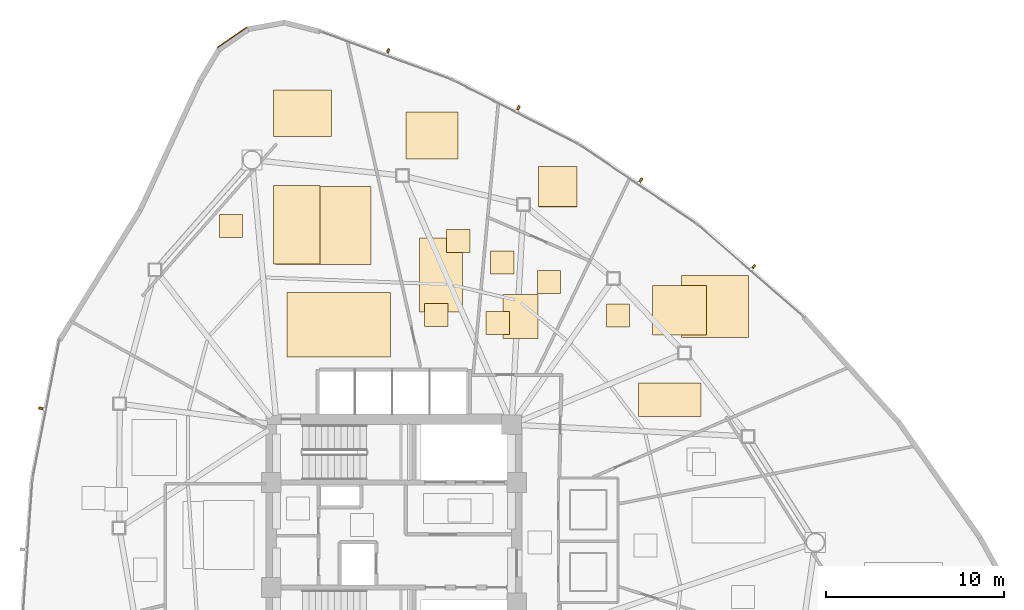
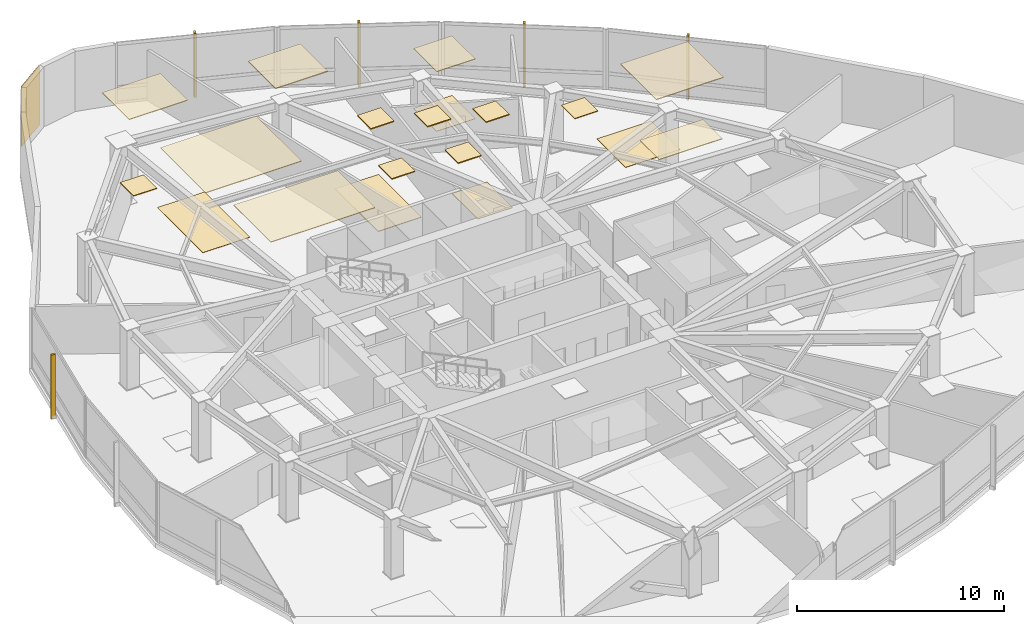
# One storey, part 17 of 17: 20 coverings, 5 shading devices.
"""IFC4 building model written with IfcOpenShell, lengths in metres."""

from ifc_helpers import new_model, si_unit, direction, frame, origin, origin_2d, place, context, subcontext, project, spatial, polyline, rectangle, outline, extrude, source, transform, mapped, material, layer, layer_set, type_object, type_shapes, element, save


model = new_model("IFC4")

# Units and contexts
model_context = context("Model", 3, precision=1e-05, world=origin(), true_north=direction((0.0, 1.0)))
body_context = subcontext(model_context, "Body", "Model", "MODEL_VIEW")
ifc_project = project(units=[si_unit("LENGTHUNIT", "METRE"), si_unit("AREAUNIT", "SQUARE_METRE"), si_unit("VOLUMEUNIT", "CUBIC_METRE"), si_unit("PLANEANGLEUNIT", "RADIAN"), si_unit("MASSUNIT", "GRAM", prefix="KILO")], contexts=[model_context])

# Site, building, storey
site_placement = place(None, origin())
site = spatial("IfcSite", under=ifc_project, at=site_placement, CompositionType="ELEMENT")
building_placement = place(site_placement, origin())
building = spatial("IfcBuilding", under=site, at=building_placement, Name="Tavelor Broadcast Tower", CompositionType="ELEMENT")
storey_placement = place(building_placement, frame((0.0, 0.0, 127.14990234375)))
storey = spatial("IfcBuildingStorey", under=building, at=storey_placement, Name="L29", CompositionType="ELEMENT", Elevation=127.14990234375)

# Coverings
ifc_material_1 = material(Name="Copper-Bronze Anodized Aluminium", Category="aluminium")
ifc_layer_1 = layer(ifc_material_1, 0.050048828125)
ifc_layer_set_1 = layer_set([ifc_layer_1], Name="Copper-Bronze Anodized Aluminium")
covering_type_1 = type_object("IfcCoveringType", Name="Champagne-Bronze Corner Pier Metal Cladding 50 mm", PredefinedType="CLADDING", material=ifc_layer_set_1)
covering_1_placement = place(storey_placement, frame((40.90234375, 72.974609375, 0.02001953125), z_axis=(0.0, 0.0, 1.0), x_axis=(-0.822640518021, -0.568561850734, 0.0)))
element("IfcCovering", 1, at=covering_1_placement, inside=storey, type_object=covering_type_1, Name="L29 Champagne-Bronze Corner Cladding 03", PredefinedType="CLADDING", context=body_context, shape_type="SweptSolid", body=[
    extrude(rectangle(XDim=1.998291015625, YDim=0.050048828125, at=origin_2d()), origin(), (0.0, 0.0, 1.0), 3.510009765625),
])
ifc_material_2 = material(Name="Acoustic Nylon Carpet Tile")
ifc_layer_2 = layer(ifc_material_2, 0.02001953125)
ifc_layer_set_2 = layer_set([ifc_layer_2], Name="Acoustic Nylon Carpet Tile")
covering_type_2 = type_object("IfcCoveringType", Name="Heavy-Duty Acoustic Broadcast Carpet Tile 20 mm", PredefinedType="FLOORING", material=ifc_layer_set_2)
covering_2_placement = place(storey_placement, origin())
element("IfcCovering", 2, at=covering_2_placement, inside=storey, type_object=covering_type_2, Name="L29 Broadcast Floor Finish 0411", PredefinedType="FLOORING", context=body_context, shape_type="SweptSolid", body=[
    extrude(outline(polyline([(43.20849609375, 60.245849609375), (45.841064453125, 60.245849609375), (45.841064453125, 64.64501953125), (43.20849609375, 64.64501953125), (43.20849609375, 60.245849609375)])), origin(), (0.0, 0.0, 1.0), 0.02001953125),
])
covering_3_placement = place(storey_placement, origin())
element("IfcCovering", 3, at=covering_3_placement, inside=storey, type_object=covering_type_2, Name="L29 Broadcast Floor Finish 0413", PredefinedType="FLOORING", context=body_context, shape_type="SweptSolid", body=[
    extrude(outline(polyline([(58.11962890625, 63.447998046875), (60.280517578125, 63.447998046875), (60.280517578125, 65.705810546875), (58.11962890625, 65.705810546875), (58.11962890625, 63.447998046875)])), origin(), (0.0, 0.0, 1.0), 0.02001953125),
])
covering_4_placement = place(storey_placement, origin())
element("IfcCovering", 4, at=covering_4_placement, inside=storey, type_object=covering_type_2, Name="L29 Broadcast Floor Finish 0414", PredefinedType="FLOORING", context=body_context, shape_type="SweptSolid", body=[
    extrude(outline(polyline([(64.516357421875, 56.245849609375), (67.556396484375, 56.245849609375), (67.556396484375, 59.02880859375), (64.516357421875, 59.02880859375), (64.516357421875, 56.245849609375)])), origin(), (0.0, 0.0, 1.0), 0.02001953125),
])
ifc_material_3 = material(Name="Acoustic Hardwood Studio Flooring", Category="wood")
ifc_layer_3 = layer(ifc_material_3, 0.034912109375)
ifc_layer_set_3 = layer_set([ifc_layer_3], Name="Acoustic Hardwood Studio Flooring")
covering_type_3 = type_object("IfcCoveringType", Name="Isolated Studio Acoustic Elastomeric Floor Finish 35 mm", PredefinedType="FLOORING", material=ifc_layer_set_3)
covering_5_placement = place(storey_placement, origin())
element("IfcCovering", 5, at=covering_5_placement, inside=storey, type_object=covering_type_3, Name="L29 Broadcast Floor Finish 0412", PredefinedType="FLOORING", context=body_context, shape_type="SweptSolid", body=[
    extrude(outline(polyline([(51.43359375, 57.54248046875), (53.85400390625, 57.54248046875), (53.85400390625, 61.69970703125), (51.43359375, 61.69970703125), (51.43359375, 57.54248046875)])), origin(), (0.0, 0.0, 1.0), 0.03515625),
])
covering_6_placement = place(storey_placement, origin())
element("IfcCovering", 6, at=covering_6_placement, inside=storey, type_object=covering_type_3, Name="L29 Broadcast Floor Finish 0417", PredefinedType="FLOORING", context=body_context, shape_type="SweptSolid", body=[
    extrude(outline(polyline([(56.132568359375, 56.04248046875), (58.0830078125, 56.04248046875), (58.0830078125, 58.52685546875), (56.132568359375, 58.52685546875), (56.132568359375, 56.04248046875)])), origin(), (0.0, 0.0, 1.0), 0.03515625),
])
ifc_material_4 = material(Name="Acoustic Perforated Timber Baffle", Category="wood")
ifc_layer_4 = layer(ifc_material_4, 0.054931640625)
ifc_layer_set_4 = layer_set([ifc_layer_4], Name="Acoustic Perforated Timber Baffle")
covering_type_4 = type_object("IfcCoveringType", Name="Micro-Perforated Acoustic Baffle Studio Ceiling 55 mm", PredefinedType="CEILING", material=ifc_layer_set_4)
covering_7_placement = place(storey_placement, frame((0.0, 0.0, 3.4951171875)))
element("IfcCovering", 7, at=covering_7_placement, inside=storey, type_object=covering_type_4, Name="L29 Suspended Acoustic Ceiling 1168", PredefinedType="CEILING", context=body_context, shape_type="SweptSolid", body=[
    extrude(outline(polyline([(50.66650390625, 66.12939453125), (53.590576171875, 66.12939453125), (53.590576171875, 68.7880859375), (50.66650390625, 68.7880859375), (50.66650390625, 66.12939453125)])), origin(), (0.0, 0.0, 1.0), 0.054931640625),
])
covering_8_placement = place(storey_placement, frame((0.0, 0.0, 3.4951171875)))
element("IfcCovering", 8, at=covering_8_placement, inside=storey, type_object=covering_type_4, Name="L29 Suspended Acoustic Ceiling 1169", PredefinedType="CEILING", context=body_context, shape_type="SweptSolid", body=[
    extrude(outline(polyline([(52.95458984375, 60.876708984375), (54.254638671875, 60.876708984375), (54.254638671875, 62.1767578125), (52.95458984375, 62.1767578125), (52.95458984375, 60.876708984375)])), origin(), (0.0, 0.0, 1.0), 0.054931640625),
])
covering_9_placement = place(storey_placement, frame((0.0, 0.0, 3.4951171875)))
element("IfcCovering", 9, at=covering_9_placement, inside=storey, type_object=covering_type_4, Name="L29 Suspended Acoustic Ceiling 1170", PredefinedType="CEILING", context=body_context, shape_type="SweptSolid", body=[
    extrude(outline(polyline([(51.721923828125, 56.71337890625), (53.02197265625, 56.71337890625), (53.02197265625, 58.013427734375), (51.721923828125, 58.013427734375), (51.721923828125, 56.71337890625)])), origin(), (0.0, 0.0, 1.0), 0.054931640625),
])
covering_10_placement = place(storey_placement, frame((0.0, 0.0, 3.4951171875)))
element("IfcCovering", 10, at=covering_10_placement, inside=storey, type_object=covering_type_4, Name="L29 Suspended Acoustic Ceiling 1184", PredefinedType="CEILING", context=body_context, shape_type="SweptSolid", body=[
    extrude(outline(polyline([(55.174072265625, 56.261474609375), (56.47412109375, 56.261474609375), (56.47412109375, 57.5615234375), (55.174072265625, 57.5615234375), (55.174072265625, 56.261474609375)])), origin(), (0.0, 0.0, 1.0), 0.054931640625),
])
covering_11_placement = place(storey_placement, frame((0.0, 0.0, 3.4951171875)))
element("IfcCovering", 11, at=covering_11_placement, inside=storey, type_object=covering_type_4, Name="L29 Suspended Acoustic Ceiling 1185", PredefinedType="CEILING", context=body_context, shape_type="SweptSolid", body=[
    extrude(outline(polyline([(55.425537109375, 59.666015625), (56.7255859375, 59.666015625), (56.7255859375, 60.966064453125), (55.425537109375, 60.966064453125), (55.425537109375, 59.666015625)])), origin(), (0.0, 0.0, 1.0), 0.054931640625),
])
covering_12_placement = place(storey_placement, frame((0.0, 0.0, 3.4951171875)))
element("IfcCovering", 12, at=covering_12_placement, inside=storey, type_object=covering_type_4, Name="L29 Suspended Acoustic Ceiling 1186", PredefinedType="CEILING", context=body_context, shape_type="SweptSolid", body=[
    extrude(outline(polyline([(58.064453125, 58.5810546875), (59.364501953125, 58.5810546875), (59.364501953125, 59.881103515625), (58.064453125, 59.881103515625), (58.064453125, 58.5810546875)])), origin(), (0.0, 0.0, 1.0), 0.054931640625),
])
ifc_material_5 = material(Name="Acoustic Mineral Fibre Tile")
ifc_layer_5 = layer(ifc_material_5, 0.0400390625)
ifc_layer_set_5 = layer_set([ifc_layer_5], Name="Acoustic Mineral Fibre Tile")
covering_type_5 = type_object("IfcCoveringType", Name="Suspended Acoustic Mineral-Fibre Office Ceiling 40 mm", PredefinedType="CEILING", material=ifc_layer_set_5)
covering_13_placement = place(storey_placement, frame((0.0, 0.0, 3.510009765625)))
element("IfcCovering", 13, at=covering_13_placement, inside=storey, type_object=covering_type_5, Name="L29 Suspended Acoustic Ceiling 1164", PredefinedType="CEILING", context=body_context, shape_type="SweptSolid", body=[
    extrude(outline(polyline([(40.17724609375, 61.71240234375), (41.477294921875, 61.71240234375), (41.477294921875, 63.012451171875), (40.17724609375, 63.012451171875), (40.17724609375, 61.71240234375)])), origin(), (0.0, 0.0, 1.0), 0.0400390625),
])
covering_14_placement = place(storey_placement, frame((0.0, 0.0, 3.510009765625)))
element("IfcCovering", 14, at=covering_14_placement, inside=storey, type_object=covering_type_5, Name="L29 Suspended Acoustic Ceiling 1165", PredefinedType="CEILING", context=body_context, shape_type="SweptSolid", body=[
    extrude(outline(polyline([(43.332763671875, 60.19384765625), (48.69140625, 60.19384765625), (48.69140625, 64.583251953125), (43.332763671875, 64.583251953125), (43.332763671875, 60.19384765625)])), origin(), (0.0, 0.0, 1.0), 0.0400390625),
])
covering_15_placement = place(storey_placement, frame((0.0, 0.0, 3.510009765625)))
element("IfcCovering", 15, at=covering_15_placement, inside=storey, type_object=covering_type_5, Name="L29 Suspended Acoustic Ceiling 1166", PredefinedType="CEILING", context=body_context, shape_type="SweptSolid", body=[
    extrude(outline(polyline([(43.219970703125, 67.400390625), (46.484619140625, 67.400390625), (46.484619140625, 70.017578125), (43.219970703125, 70.017578125), (43.219970703125, 67.400390625)])), origin(), (0.0, 0.0, 1.0), 0.0400390625),
])
covering_16_placement = place(storey_placement, frame((0.0, 0.0, 3.510009765625)))
element("IfcCovering", 16, at=covering_16_placement, inside=storey, type_object=covering_type_5, Name="L29 Suspended Acoustic Ceiling 1167", PredefinedType="CEILING", context=body_context, shape_type="SweptSolid", body=[
    extrude(outline(polyline([(43.98486328125, 55.01611328125), (49.807861328125, 55.01611328125), (49.807861328125, 58.62353515625), (43.98486328125, 58.62353515625), (43.98486328125, 55.01611328125)])), origin(), (0.0, 0.0, 1.0), 0.0400390625),
])
covering_17_placement = place(storey_placement, frame((0.0, 0.0, 3.510009765625)))
element("IfcCovering", 17, at=covering_17_placement, inside=storey, type_object=covering_type_5, Name="L29 Suspended Acoustic Ceiling 1171", PredefinedType="CEILING", context=body_context, shape_type="SweptSolid", body=[
    extrude(outline(polyline([(58.130615234375, 63.45458984375), (60.280517578125, 63.45458984375), (60.280517578125, 65.7080078125), (58.130615234375, 65.7080078125), (58.130615234375, 63.45458984375)])), origin(), (0.0, 0.0, 1.0), 0.0400390625),
])
covering_18_placement = place(storey_placement, frame((0.0, 0.0, 3.510009765625)))
element("IfcCovering", 18, at=covering_18_placement, inside=storey, type_object=covering_type_5, Name="L29 Suspended Acoustic Ceiling 1172", PredefinedType="CEILING", context=body_context, shape_type="SweptSolid", body=[
    extrude(outline(polyline([(66.148193359375, 56.10498046875), (69.911376953125, 56.10498046875), (69.911376953125, 59.582275390625), (66.148193359375, 59.582275390625), (66.148193359375, 56.10498046875)])), origin(), (0.0, 0.0, 1.0), 0.0400390625),
])
covering_19_placement = place(storey_placement, frame((0.0, 0.0, 3.510009765625)))
element("IfcCovering", 19, at=covering_19_placement, inside=storey, type_object=covering_type_5, Name="L29 Suspended Acoustic Ceiling 1173", PredefinedType="CEILING", context=body_context, shape_type="SweptSolid", body=[
    extrude(outline(polyline([(63.73876953125, 51.648193359375), (67.26220703125, 51.648193359375), (67.26220703125, 53.531494140625), (63.73876953125, 53.531494140625), (63.73876953125, 51.648193359375)])), origin(), (0.0, 0.0, 1.0), 0.0400390625),
])
covering_20_placement = place(storey_placement, frame((0.0, 0.0, 3.510009765625)))
element("IfcCovering", 20, at=covering_20_placement, inside=storey, type_object=covering_type_5, Name="L29 Suspended Acoustic Ceiling 1174", PredefinedType="CEILING", context=body_context, shape_type="SweptSolid", body=[
    extrude(outline(polyline([(61.929931640625, 56.683837890625), (63.22998046875, 56.683837890625), (63.22998046875, 57.98388671875), (61.929931640625, 57.98388671875), (61.929931640625, 56.683837890625)])), origin(), (0.0, 0.0, 1.0), 0.0400390625),
])

# Shading devices
ifc_material_6 = material(Name="Kiln-Fired Glazed Terracotta", Category="masonry")
shading_device_type = type_object("IfcShadingDeviceType", Name="Extruded Terracotta Baguette Sun-Screen 110x240", PredefinedType="JALOUSIE", material=ifc_material_6)
shared_shape = source(origin(), body_context, "Body", "SweptSolid", [
    extrude(rectangle(XDim=0.110107421875, YDim=0.239990234375, at=origin_2d()), origin(), (0.0, 0.0, 1.0), 3.7900390625),
])
type_shapes(shading_device_type, [shared_shape])
for number, where, z_axis, x_axis, name in (
    (21, (30.139404296875, 52.119140625, -0.260009765625), (0.0, 0.0, 1.0), (-0.190466331231, -0.981693728546, 0.0), "L29 Terracotta Baguette Fin 277"),
    (22, (70.21728515625, 60.092041015625, -0.260009765625), (0.0, 0.0, 1.0), (-0.754938542041, 0.655795545685, 0.0), "L29 Terracotta Baguette Fin 285"),
    (23, (63.876953125, 64.95703125, -0.260009765625), (0.0, 0.0, 1.0), (-0.828842326905, 0.559482258102, 0.0), "L29 Terracotta Baguette Fin 286"),
    (24, (56.994384765625, 69.019287109375, -0.260009765625), (0.0, 0.0, 1.0), (-0.890451205327, 0.455078730475, 0.0), "L29 Terracotta Baguette Fin 287"),
    (25, (49.6708984375, 72.218505859375, -0.260009765625), (0.0, 0.0, 1.0), (-0.938974235021, 0.343987479376, 0.0), "L29 Terracotta Baguette Fin 288"),
):
    element("IfcShadingDevice", number, at=place(storey_placement, frame(where, z_axis=z_axis, x_axis=x_axis)), inside=storey, type_object=shading_device_type, Name=name, PredefinedType="JALOUSIE", context=body_context, shape_type="MappedRepresentation", body=[
        mapped(shared_shape, transform((0.0, 0.0, 0.0), scale=1.0)),
    ])

save(model, "model.ifc")
